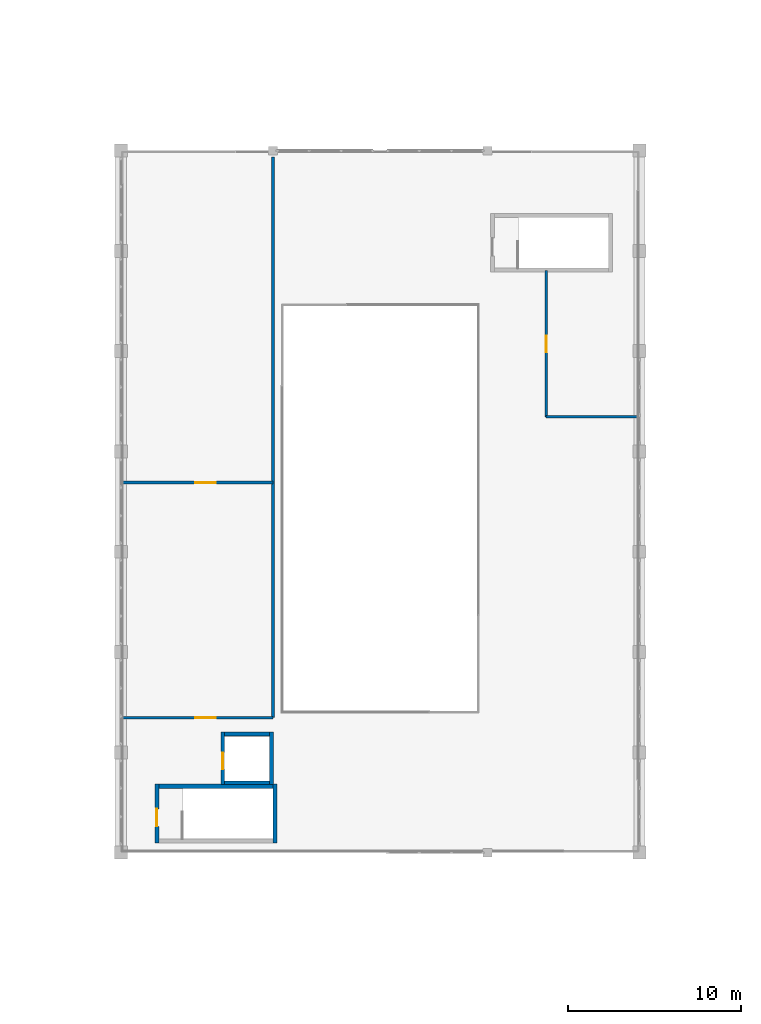
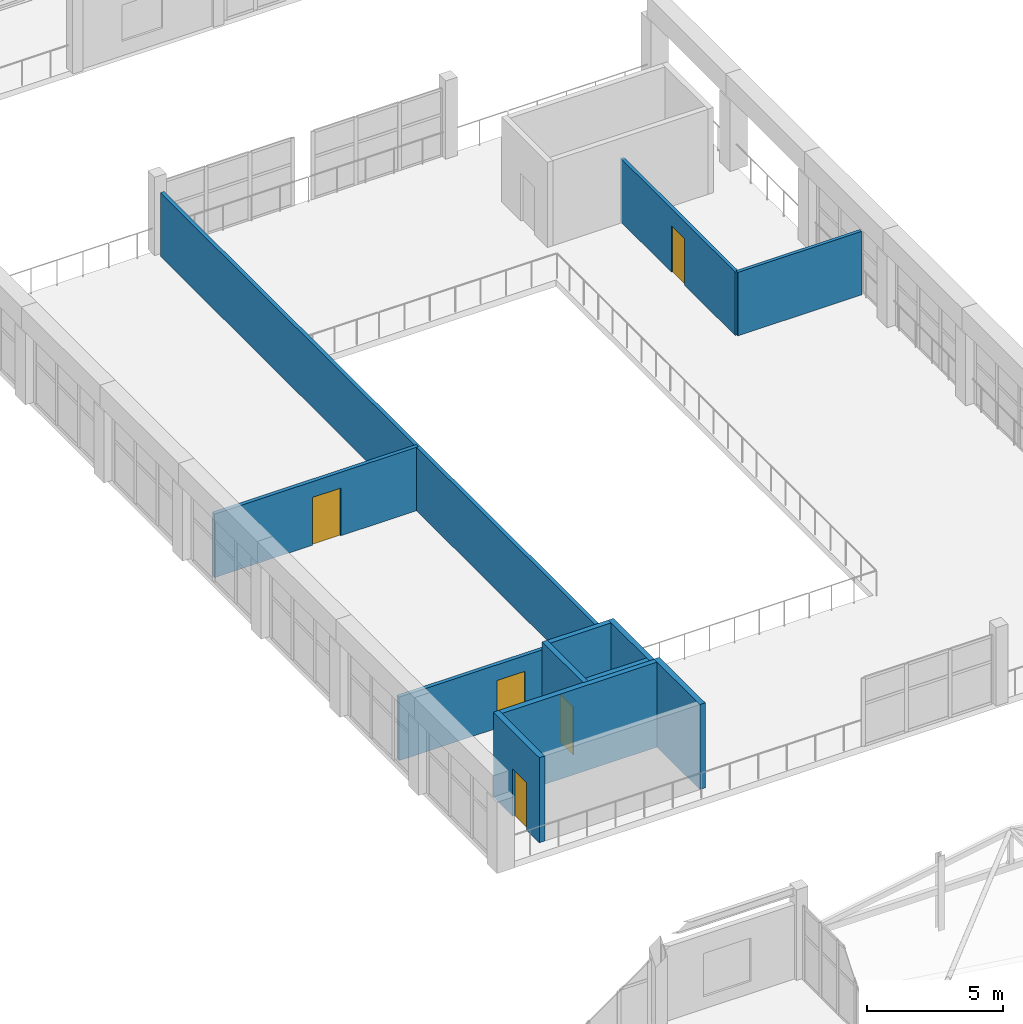
# One storey, part 86 of 128: 12 walls, 5 doors, 5 openings.
"""IFC4 building model written with IfcOpenShell, lengths in metres."""

from ifc_helpers import new_model, si_unit, direction, frame, frame_2d, origin, place, context, subcontext, project, spatial, rectangle, extrude, material, layer, layer_set, type_object, element, fill, save


model = new_model("IFC4")

# Units and contexts
model_context = context("Model", 3, precision=1e-05, world=origin(), true_north=direction((0.0, 1.0)))
body_context = subcontext(model_context, "Body", "Model", "MODEL_VIEW")
ifc_project = project(units=[si_unit("LENGTHUNIT", "METRE"), si_unit("AREAUNIT", "SQUARE_METRE"), si_unit("VOLUMEUNIT", "CUBIC_METRE"), si_unit("PLANEANGLEUNIT", "RADIAN"), si_unit("MASSUNIT", "GRAM", prefix="KILO")], contexts=[model_context])

# Site, building, storey
site_placement = place(None, origin())
site = spatial("IfcSite", under=ifc_project, at=site_placement, CompositionType="ELEMENT")
building_placement = place(site_placement, origin())
building = spatial("IfcBuilding", under=site, at=building_placement, Name="Tanwirah Colonnade Gardens", CompositionType="ELEMENT")
storey_placement = place(building_placement, frame((0.0, 0.0, 4.760009765625)))
storey = spatial("IfcBuildingStorey", under=building, at=storey_placement, Name="L01", CompositionType="ELEMENT", Elevation=4.760009765625)

# Wall
ifc_material_1 = material(Name="Fire-rated acoustic blockwork partition", Category="masonry")
ifc_layer_1 = layer(ifc_material_1, 0.159912109375)
ifc_layer_set_1 = layer_set([ifc_layer_1], Name="Fire-rated acoustic blockwork partition")
wall_type_1 = type_object("IfcWallType", Name="IW-PAV160", PredefinedType="PARTITIONING", material=ifc_layer_set_1)
wall_1_placement = place(storey_placement, frame((86.800048828125, 47.60009765625, 0.0), z_axis=(0.0, 0.0, 1.0), x_axis=(0.0, 1.0, 0.0)))
element("IfcWall", 1, at=wall_1_placement, inside=storey, type_object=wall_type_1, Name="Interior Partition IW-HALL-L01-W", PredefinedType="PARTITIONING", context=body_context, shape_type="SweptSolid", body=[
    extrude(rectangle(XDim=32.419921875, YDim=0.159912109375, at=frame_2d((16.2099609375, 0.0))), origin(), (0.0, 0.0, 1.0), 2.860107421875),
])

# Wall, opening, door
wall_2_placement = place(storey_placement, frame((78.1201171875, 47.60009765625, 0.0), z_axis=(0.0, 0.0, 1.0), x_axis=(1.0, 0.0, 0.0)))
wall_2 = element("IfcWall", 2, at=wall_2_placement, inside=storey, type_object=wall_type_1, Name="Interior Partition IW-HALL-L01-WS", PredefinedType="PARTITIONING", context=body_context, shape_type="SweptSolid", body=[
    extrude(rectangle(XDim=8.679931640625, YDim=0.159912109375, at=frame_2d((4.33984375, 0.0))), origin(), (0.0, 0.0, 1.0), 2.860107421875),
])
opening_1_placement = place(wall_2_placement, frame((4.174072265625, 0.0, 0.0)))
opening_1 = element("IfcOpeningElement", 3, at=opening_1_placement, cuts=wall_2, Name="Opening L01-VD1957", PredefinedType="OPENING", context=body_context, shape_type="SweptSolid", body=[
    extrude(rectangle(XDim=1.199951171875, YDim=2.14990234375, at=frame_2d((0.60009765625, 1.074951171875))), frame((0.0, 0.08984375, 0.0), z_axis=(0.0, -1.0, 0.0), x_axis=(1.0, 0.0, 0.0)), (0.0, 0.0, 1.0), 0.179931640625),
])
ifc_material_2 = material(Name="Acoustic classroom vision-panel door")
door_type_1 = type_object("IfcDoorType", Name="ID-NUR12", OperationType="NOTDEFINED", PredefinedType="DOOR", material=ifc_material_2)
door_1_placement = place(opening_1_placement, origin())
door_1 = element("IfcDoor", 4, at=door_1_placement, inside=storey, type_object=door_type_1, Name="Civic interior door L01-VD1957", OperationType="SINGLE_SWING_LEFT", OverallHeight=2.14990234375, OverallWidth=1.199951171875, PredefinedType="DOOR", context=body_context, shape_type="SweptSolid", body=[
    extrude(rectangle(XDim=1.199951171875, YDim=2.14990234375, at=frame_2d((0.60009765625, 1.074951171875))), frame((0.0, 0.02490234375, 0.0), z_axis=(0.0, -1.0, 0.0), x_axis=(1.0, 0.0, 0.0)), (0.0, 0.0, 1.0), 0.050048828125),
])
fill(opening_1, door_1)

wall_3_placement = place(storey_placement, frame((78.1201171875, 61.199951171875, 0.0), z_axis=(0.0, 0.0, 1.0), x_axis=(1.0, 0.0, 0.0)))
wall_3 = element("IfcWall", 5, at=wall_3_placement, inside=storey, type_object=wall_type_1, Name="Interior Partition IW-HALL-L01-MID", PredefinedType="PARTITIONING", context=body_context, shape_type="SweptSolid", body=[
    extrude(rectangle(XDim=8.679931640625, YDim=0.159912109375, at=frame_2d((4.33984375, 0.0))), origin(), (0.0, 0.0, 1.0), 2.860107421875),
])
opening_2_placement = place(wall_3_placement, frame((4.174072265625, 0.0, 0.0)))
opening_2 = element("IfcOpeningElement", 6, at=opening_2_placement, cuts=wall_3, Name="Opening L01-VD1958", PredefinedType="OPENING", context=body_context, shape_type="SweptSolid", body=[
    extrude(rectangle(XDim=1.199951171875, YDim=2.14990234375, at=frame_2d((0.60009765625, 1.074951171875))), frame((0.0, 0.08984375, 0.0), z_axis=(0.0, -1.0, 0.0), x_axis=(1.0, 0.0, 0.0)), (0.0, 0.0, 1.0), 0.179931640625),
])
door_2_placement = place(opening_2_placement, origin())
door_2 = element("IfcDoor", 7, at=door_2_placement, inside=storey, type_object=door_type_1, Name="Civic interior door L01-VD1958", OperationType="SINGLE_SWING_RIGHT", OverallHeight=2.14990234375, OverallWidth=1.199951171875, PredefinedType="DOOR", context=body_context, shape_type="SweptSolid", body=[
    extrude(rectangle(XDim=1.199951171875, YDim=2.14990234375, at=frame_2d((0.60009765625, 1.074951171875))), frame((0.0, 0.02490234375, 0.0), z_axis=(0.0, -1.0, 0.0), x_axis=(1.0, 0.0, 0.0)), (0.0, 0.0, 1.0), 0.050048828125),
])
fill(opening_2, door_2)

ifc_material_3 = material(Name="Water-resistant acoustic plumbing partition")
ifc_layer_2 = layer(ifc_material_3, 0.139892578125)
ifc_layer_set_2 = layer_set([ifc_layer_2], Name="Water-resistant acoustic plumbing partition")
wall_type_2 = type_object("IfcWallType", Name="IW-WET140", PredefinedType="PLUMBINGWALL", material=ifc_layer_set_2)
wall_4_placement = place(storey_placement, frame((102.60009765625, 65.0, 0.0), z_axis=(0.0, 0.0, 1.0), x_axis=(0.0, 1.0, 0.0)))
wall_4 = element("IfcWall", 8, at=wall_4_placement, inside=storey, type_object=wall_type_2, Name="Interior Partition IW-HALL-L01-AWC-W", PredefinedType="PLUMBINGWALL", context=body_context, shape_type="SweptSolid", body=[
    extrude(rectangle(XDim=8.449951171875, YDim=0.139892578125, at=frame_2d((4.22509765625, 0.0))), origin(), (0.0, 0.0, 1.0), 2.860107421875),
])
opening_3_placement = place(wall_4_placement, frame((3.7451171875, 0.0, 0.0)))
opening_3 = element("IfcOpeningElement", 9, at=opening_3_placement, cuts=wall_4, Name="Opening L01-VD1959", PredefinedType="OPENING", context=body_context, shape_type="SweptSolid", body=[
    extrude(rectangle(XDim=0.9599609375, YDim=2.10009765625, at=frame_2d((0.47998046875, 1.050048828125))), frame((0.0, 0.079833984375, 0.0), z_axis=(0.0, -1.0, 0.0), x_axis=(1.0, 0.0, 0.0)), (0.0, 0.0, 1.0), 0.159912109375),
])
ifc_material_4 = material(Name="Accessible toilet outward-opening door")
door_type_2 = type_object("IfcDoorType", Name="ID-AWC096", OperationType="NOTDEFINED", PredefinedType="DOOR", material=ifc_material_4)
door_3_placement = place(opening_3_placement, origin())
door_3 = element("IfcDoor", 10, at=door_3_placement, inside=storey, type_object=door_type_2, Name="Civic interior door L01-VD1959", OperationType="SINGLE_SWING_RIGHT", OverallHeight=2.10009765625, OverallWidth=0.9599609375, PredefinedType="DOOR", context=body_context, shape_type="SweptSolid", body=[
    extrude(rectangle(XDim=0.9599609375, YDim=2.10009765625, at=frame_2d((0.47998046875, 1.050048828125))), frame((0.0, 0.02490234375, 0.0), z_axis=(0.0, -1.0, 0.0), x_axis=(1.0, 0.0, 0.0)), (0.0, 0.0, 1.0), 0.050048828125),
])
fill(opening_3, door_3)

# Walls
wall_5_placement = place(storey_placement, frame((102.60009765625, 65.0, 0.0), z_axis=(0.0, 0.0, 1.0), x_axis=(1.0, 0.0, 0.0)))
element("IfcWall", 11, at=wall_5_placement, inside=storey, type_object=wall_type_2, Name="Interior Partition IW-HALL-L01-AWC-S", PredefinedType="PLUMBINGWALL", context=body_context, shape_type="SweptSolid", body=[
    extrude(rectangle(XDim=5.27978515625, YDim=0.139892578125, at=frame_2d((2.639892578125, 0.0))), origin(), (0.0, 0.0, 1.0), 2.860107421875),
])
ifc_material_5 = material(Name="Concrete C45/55", Category="concrete")
ifc_layer_3 = layer(ifc_material_5, 0.235107421875)
ifc_layer_set_3 = layer_set([ifc_layer_3], Name="Concrete C45/55")
wall_type_3 = type_object("IfcWallType", Name="SW-CORE235", PredefinedType="SHEAR", material=ifc_layer_set_3)
wall_6_placement = place(storey_placement, frame((86.91748046875, 40.364990234375, 0.0), z_axis=(0.0, 0.0, 1.0), x_axis=(0.0, 1.0, 0.0)))
element("IfcWall", 12, at=wall_6_placement, inside=storey, type_object=wall_type_3, Name="CORE-H1 L01 Stair Shaft Shear Wall FAR", PredefinedType="SHEAR", context=body_context, shape_type="SweptSolid", body=[
    extrude(rectangle(XDim=3.389892578125, YDim=0.235107421875, at=frame_2d((1.69482421875, 0.0))), origin(), (0.0, 0.0, 1.0), 3.830078125),
])

# Wall, opening, door
wall_7_placement = place(storey_placement, frame((80.08251953125, 40.364990234375, 0.0), z_axis=(0.0, 0.0, 1.0), x_axis=(0.0, 1.0, 0.0)))
wall_7 = element("IfcWall", 13, at=wall_7_placement, inside=storey, type_object=wall_type_3, Name="CORE-H1 L01 Stair Shaft Shear Wall NEAR", PredefinedType="SHEAR", context=body_context, shape_type="SweptSolid", body=[
    extrude(rectangle(XDim=3.389892578125, YDim=0.235107421875, at=frame_2d((1.69482421875, 0.0))), origin(), (0.0, 0.0, 1.0), 3.830078125),
])
opening_4_placement = place(wall_7_placement, frame((0.949951171875, 0.0, 0.0)))
opening_4 = element("IfcOpeningElement", 14, at=opening_4_placement, cuts=wall_7, Name="Opening L01-SD210", PredefinedType="OPENING", context=body_context, shape_type="SweptSolid", body=[
    extrude(rectangle(XDim=1.02001953125, YDim=2.139892578125, at=frame_2d((0.510009765625, 1.06982421875))), frame((0.0, 0.12744140625, 0.0), z_axis=(0.0, -1.0, 0.0), x_axis=(1.0, 0.0, 0.0)), (0.0, 0.0, 1.0), 0.255126953125),
])
ifc_material_6 = material(Name="Steel fire-resisting stair enclosure door", Category="steel")
door_type_3 = type_object("IfcDoorType", Name="ID-ST102", OperationType="NOTDEFINED", PredefinedType="DOOR", material=ifc_material_6)
door_4_placement = place(opening_4_placement, origin())
door_4 = element("IfcDoor", 15, at=door_4_placement, inside=storey, type_object=door_type_3, Name="CORE-H1 L01 Stair Fire Door L01-SD210", OperationType="SINGLE_SWING_LEFT", OverallHeight=2.139892578125, OverallWidth=1.02001953125, PredefinedType="DOOR", context=body_context, shape_type="SweptSolid", body=[
    extrude(rectangle(XDim=1.02001953125, YDim=2.139892578125, at=frame_2d((0.510009765625, 1.06982421875))), frame((0.0, 0.02490234375, 0.0), z_axis=(0.0, -1.0, 0.0), x_axis=(1.0, 0.0, 0.0)), (0.0, 0.0, 1.0), 0.050048828125),
])
fill(opening_4, door_4)

# Wall
wall_8_placement = place(storey_placement, frame((80.199951171875, 43.637451171875, 0.0), z_axis=(0.0, 0.0, 1.0), x_axis=(1.0, 0.0, 0.0)))
element("IfcWall", 16, at=wall_8_placement, inside=storey, type_object=wall_type_3, Name="CORE-H1 L01 Stair Shaft Shear Wall RIGHT", PredefinedType="SHEAR", context=body_context, shape_type="SweptSolid", body=[
    extrude(rectangle(XDim=6.60009765625, YDim=0.235107421875, at=frame_2d((3.300048828125, 0.0))), origin(), (0.0, 0.0, 1.0), 3.830078125),
])

# Wall, opening, door
ifc_layer_4 = layer(ifc_material_5, 0.215087890625)
ifc_layer_set_4 = layer_set([ifc_layer_4], Name="Concrete C45/55")
wall_type_4 = type_object("IfcWallType", Name="SW-LIFT215", PredefinedType="SHEAR", material=ifc_layer_set_4)
wall_9_placement = place(storey_placement, frame((83.892578125, 43.735107421875, 0.0), z_axis=(0.0, 0.0, 1.0), x_axis=(0.0, 1.0, 0.0)))
wall_9 = element("IfcWall", 17, at=wall_9_placement, inside=storey, type_object=wall_type_4, Name="CORE-H1 L01 Lift Shaft Wall FRONT", PredefinedType="SHEAR", context=body_context, shape_type="SweptSolid", body=[
    extrude(rectangle(XDim=3.02978515625, YDim=0.215087890625, at=frame_2d((1.514892578125, 0.0))), origin(), (0.0, 0.0, 1.0), 3.830078125),
])
opening_5_placement = place(wall_9_placement, frame((0.89990234375, 0.0, 0.0)))
opening_5 = element("IfcOpeningElement", 18, at=opening_5_placement, cuts=wall_9, Name="Opening L01-LD-PL-H1", PredefinedType="OPENING", context=body_context, shape_type="SweptSolid", body=[
    extrude(rectangle(XDim=0.949951171875, YDim=2.14990234375, at=frame_2d((0.47509765625, 1.074951171875))), frame((0.0, 0.117431640625, 0.0), z_axis=(0.0, -1.0, 0.0), x_axis=(1.0, 0.0, 0.0)), (0.0, 0.0, 1.0), 0.235107421875),
])
ifc_material_7 = material(Name="Stainless steel sliding pavilion lift landing door", Category="steel")
door_type_4 = type_object("IfcDoorType", Name="LD-PV095", OperationType="DOUBLE_DOOR_SLIDING", PredefinedType="DOOR", material=ifc_material_7)
door_5_placement = place(opening_5_placement, origin())
door_5 = element("IfcDoor", 19, at=door_5_placement, inside=storey, type_object=door_type_4, Name="Lift PL-H1 L01 Sliding Landing Door", OperationType="DOUBLE_DOOR_SLIDING", OverallHeight=2.14990234375, OverallWidth=0.949951171875, PredefinedType="DOOR", context=body_context, shape_type="SweptSolid", body=[
    extrude(rectangle(XDim=0.949951171875, YDim=2.14990234375, at=frame_2d((0.47509765625, 1.074951171875))), frame((0.0, 0.02490234375, 0.0), z_axis=(0.0, -1.0, 0.0), x_axis=(1.0, 0.0, 0.0)), (0.0, 0.0, 1.0), 0.050048828125),
])
fill(opening_5, door_5)

# Walls
wall_10_placement = place(storey_placement, frame((86.70751953125, 43.735107421875, 0.0), z_axis=(0.0, 0.0, 1.0), x_axis=(0.0, 1.0, 0.0)))
element("IfcWall", 20, at=wall_10_placement, inside=storey, type_object=wall_type_4, Name="CORE-H1 L01 Lift Shaft Wall BACK", PredefinedType="SHEAR", context=body_context, shape_type="SweptSolid", body=[
    extrude(rectangle(XDim=3.02978515625, YDim=0.215087890625, at=frame_2d((1.514892578125, 0.0))), origin(), (0.0, 0.0, 1.0), 3.830078125),
])
for number, where, z_axis, x_axis, name in (
    (21, (84.0, 43.842529296875, 0.0), (0.0, 0.0, 1.0), (1.0, 0.0, 0.0), "CORE-H1 L01 Lift Shaft Wall SIDEA"),
    (22, (84.0, 46.657470703125, 0.0), (0.0, 0.0, 1.0), (1.0, 0.0, 0.0), "CORE-H1 L01 Lift Shaft Wall SIDEB"),
):
    element("IfcWall", number, at=place(storey_placement, frame(where, z_axis=z_axis, x_axis=x_axis)), inside=storey, type_object=wall_type_4, Name=name, PredefinedType="SHEAR", context=body_context, shape_type="SweptSolid", body=[
        extrude(rectangle(XDim=2.60009765625, YDim=0.215087890625, at=frame_2d((1.300048828125, 0.0))), origin(), (0.0, 0.0, 1.0), 3.830078125),
    ])

save(model, "model.ifc")
